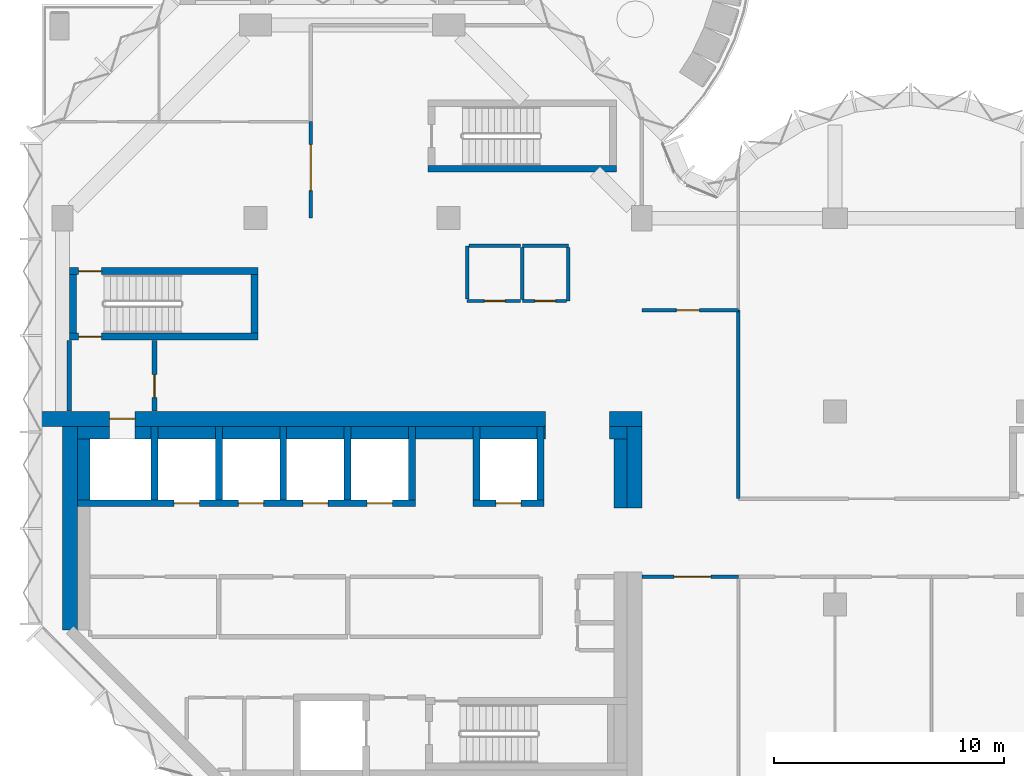
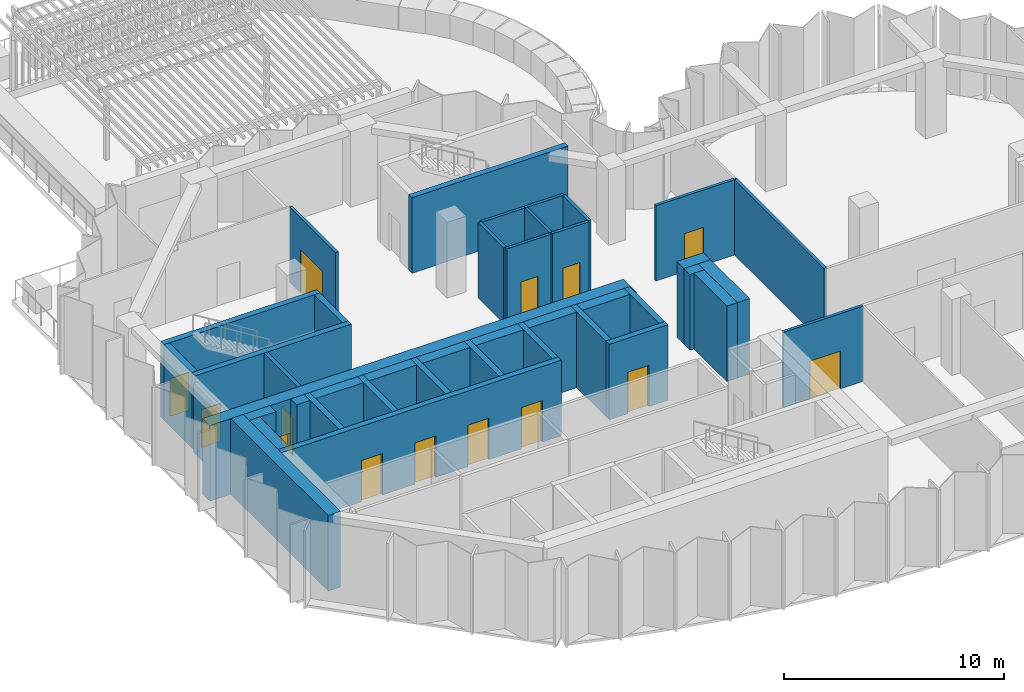
# One storey, part 9 of 15: 43 walls, 14 doors, 14 openings.
"""IFC4 building model written with IfcOpenShell, lengths in metres."""

from ifc_helpers import new_model, si_unit, direction, frame, frame_2d, origin, place, context, subcontext, project, spatial, rectangle, extrude, material, layer, layer_set, type_object, element, fill, save


model = new_model("IFC4")

# Units and contexts
model_context = context("Model", 3, precision=1e-05, world=origin(), true_north=direction((0.0, 1.0)))
body_context = subcontext(model_context, "Body", "Model", "MODEL_VIEW")
ifc_project = project(units=[si_unit("LENGTHUNIT", "METRE"), si_unit("AREAUNIT", "SQUARE_METRE"), si_unit("VOLUMEUNIT", "CUBIC_METRE"), si_unit("PLANEANGLEUNIT", "RADIAN"), si_unit("MASSUNIT", "GRAM", prefix="KILO")], contexts=[model_context])

# Site, building, storey
site_placement = place(None, origin())
site = spatial("IfcSite", under=ifc_project, at=site_placement, CompositionType="ELEMENT")
building_placement = place(site_placement, origin())
building = spatial("IfcBuilding", under=site, at=building_placement, Name="Brevane Broadcast Tower", CompositionType="ELEMENT")
storey_placement = place(building_placement, frame((0.0, 0.0, 206.39990234375)))
storey = spatial("IfcBuildingStorey", under=building, at=storey_placement, Name="L52", CompositionType="ELEMENT", Elevation=206.39990234375)

# Walls
ifc_material_1 = material(Name="Concrete C32/40", Category="concrete")
ifc_layer_1 = layer(ifc_material_1, 0.550048828125)
ifc_layer_set_1 = layer_set([ifc_layer_1], Name="Core chase wall 550 mm")
wall_type_1 = type_object("IfcWallType", Name="Core chase wall 550 mm", PredefinedType="PARTITIONING", material=ifc_layer_set_1)
wall_1_placement = place(storey_placement, frame((24.27490234375, 12.60009765625, 0.0), z_axis=(0.0, 0.0, 1.0), x_axis=(0.0, 1.0, 0.0)))
element("IfcWall", 1, at=wall_1_placement, inside=storey, type_object=wall_type_1, Name="L52 chase wall LE2", PredefinedType="PARTITIONING", context=body_context, shape_type="SweptSolid", body=[
    extrude(rectangle(XDim=3.0, YDim=0.550048828125, at=frame_2d((1.5, 0.0))), origin(), (0.0, 0.0, 1.0), 4.2001953125),
])
wall_2_placement = place(storey_placement, frame((0.64990234375, 15.875, 0.0), z_axis=(0.0, 0.0, 1.0), x_axis=(1.0, 0.0, 0.0)))
element("IfcWall", 2, at=wall_2_placement, inside=storey, type_object=wall_type_1, Name="L52 chase wall LN0", PredefinedType="PARTITIONING", context=body_context, shape_type="SweptSolid", body=[
    extrude(rectangle(XDim=1.400146484375, YDim=0.550048828125, at=frame_2d((0.7001953125, 0.0))), origin(), (0.0, 0.0, 1.0), 4.2001953125),
])
wall_3_placement = place(storey_placement, frame((23.800048828125, 15.875, 0.0), z_axis=(0.0, 0.0, 1.0), x_axis=(1.0, 0.0, 0.0)))
element("IfcWall", 3, at=wall_3_placement, inside=storey, type_object=wall_type_1, Name="L52 chase wall LN2", PredefinedType="PARTITIONING", context=body_context, shape_type="SweptSolid", body=[
    extrude(rectangle(XDim=0.75, YDim=0.550048828125, at=frame_2d((0.375, 0.0))), origin(), (0.0, 0.0, 1.0), 4.2001953125),
])
wall_4_placement = place(storey_placement, frame((0.925048828125, 12.949951171875, 0.0), z_axis=(0.0, 0.0, 1.0), x_axis=(0.0, 1.0, 0.0)))
element("IfcWall", 4, at=wall_4_placement, inside=storey, type_object=wall_type_1, Name="L52 chase wall LW-2", PredefinedType="PARTITIONING", context=body_context, shape_type="SweptSolid", body=[
    extrude(rectangle(XDim=2.650146484375, YDim=0.550048828125, at=frame_2d((1.3251953125, 0.0))), origin(), (0.0, 0.0, 1.0), 4.2001953125),
])
wall_5_placement = place(storey_placement, frame((3.14990234375, 15.875, 0.0), z_axis=(0.0, 0.0, 1.0), x_axis=(1.0, 0.0, 0.0)))
element("IfcWall", 5, at=wall_5_placement, inside=storey, type_object=wall_type_1, Name="L52 chase wall LN1-1", PredefinedType="PARTITIONING", context=body_context, shape_type="SweptSolid", body=[
    extrude(rectangle(XDim=0.7001953125, YDim=0.550048828125, at=frame_2d((0.35009765625, 0.0))), origin(), (0.0, 0.0, 1.0), 4.2001953125),
])
for number, where, z_axis, x_axis, name in (
    (6, (4.14990234375, 15.875, 0.0), (0.0, 0.0, 1.0), (1.0, 0.0, 0.0), "L52 chase wall LN1-2-1"),
    (7, (6.949951171875, 15.875, 0.0), (0.0, 0.0, 1.0), (1.0, 0.0, 0.0), "L52 chase wall LN1-2-2-1"),
    (8, (9.75, 15.875, 0.0), (0.0, 0.0, 1.0), (1.0, 0.0, 0.0), "L52 chase wall LN1-2-2-2-1"),
    (9, (12.550048828125, 15.875, 0.0), (0.0, 0.0, 1.0), (1.0, 0.0, 0.0), "L52 chase wall LN1-2-2-2-2-1"),
    (10, (15.35009765625, 15.875, 0.0), (0.0, 0.0, 1.0), (1.0, 0.0, 0.0), "L52 chase wall LN1-2-2-2-2-2-1"),
    (11, (18.14990234375, 15.875, 0.0), (0.0, 0.0, 1.0), (1.0, 0.0, 0.0), "L52 chase wall LN1-2-2-2-2-2-2-1"),
):
    element("IfcWall", number, at=place(storey_placement, frame(where, z_axis=z_axis, x_axis=x_axis)), inside=storey, type_object=wall_type_1, Name=name, PredefinedType="PARTITIONING", context=body_context, shape_type="SweptSolid", body=[
        extrude(rectangle(XDim=2.5, YDim=0.550048828125, at=frame_2d((1.25, 0.0))), origin(), (0.0, 0.0, 1.0), 4.2001953125),
    ])
wall_6_placement = place(storey_placement, frame((20.949951171875, 15.875, 0.0), z_axis=(0.0, 0.0, 1.0), x_axis=(1.0, 0.0, 0.0)))
element("IfcWall", 12, at=wall_6_placement, inside=storey, type_object=wall_type_1, Name="L52 chase wall LN1-2-2-2-2-2-2-2", PredefinedType="PARTITIONING", context=body_context, shape_type="SweptSolid", body=[
    extrude(rectangle(XDim=0.050048828125, YDim=0.550048828125, at=frame_2d((0.02490234375, 0.0))), origin(), (0.0, 0.0, 1.0), 4.2001953125),
])
ifc_material_2 = material(Name="Gypsum board on steel studs", Category="steel")
ifc_layer_2 = layer(ifc_material_2, 0.14990234375)
ifc_layer_set_2 = layer_set([ifc_layer_2], Name="Core fire partition 150 mm")
wall_type_2 = type_object("IfcWallType", Name="Core fire partition 150 mm", PredefinedType="PARTITIONING", material=ifc_layer_set_2)
wall_7_placement = place(storey_placement, frame((20.0, 24.0, 0.0), z_axis=(0.0, 0.0, 1.0), x_axis=(1.0, 0.0, 0.0)))
element("IfcWall", 13, at=wall_7_placement, inside=storey, type_object=wall_type_2, Name="L52 partition wall P22", PredefinedType="PARTITIONING", context=body_context, shape_type="SweptSolid", body=[
    extrude(rectangle(XDim=2.0, YDim=0.14990234375, at=frame_2d((1.0, 0.0))), origin(), (0.0, 0.0, 1.0), 4.2001953125),
])
wall_8_placement = place(storey_placement, frame((22.0, 23.925048828125, 0.0), z_axis=(0.0, 0.0, 1.0), x_axis=(0.0, -1.0, 0.0)))
element("IfcWall", 14, at=wall_8_placement, inside=storey, type_object=wall_type_2, Name="L52 partition wall P23", PredefinedType="PARTITIONING", context=body_context, shape_type="SweptSolid", body=[
    extrude(rectangle(XDim=2.324951171875, YDim=0.14990234375, at=frame_2d((1.16259765625, 0.0))), origin(), (0.0, 0.0, 1.0), 4.2001953125),
])

# Wall, opening, door
wall_9_placement = place(storey_placement, frame((21.925048828125, 21.60009765625, 0.0), z_axis=(0.0, 0.0, 1.0), x_axis=(-1.0, 0.0, 0.0)))
wall_9 = element("IfcWall", 15, at=wall_9_placement, inside=storey, type_object=wall_type_2, Name="L52 partition wall P24", PredefinedType="PARTITIONING", context=body_context, shape_type="SweptSolid", body=[
    extrude(rectangle(XDim=1.925048828125, YDim=0.14990234375, at=frame_2d((0.96240234375, 0.0))), origin(), (0.0, 0.0, 1.0), 4.2001953125),
])
opening_1_placement = place(wall_9_placement, frame((0.47509765625, 0.0, 0.0)))
opening_1 = element("IfcOpeningElement", 16, at=opening_1_placement, cuts=wall_9, Name="Opening L52-K23", PredefinedType="OPENING", context=body_context, shape_type="SweptSolid", body=[
    extrude(rectangle(XDim=0.89990234375, YDim=2.10009765625, at=frame_2d((0.449951171875, 1.050048828125))), frame((0.0, 0.0849609375, 0.0), z_axis=(0.0, -1.0, 0.0), x_axis=(1.0, 0.0, 0.0)), (0.0, 0.0, 1.0), 0.169921875),
])
ifc_material_3 = material(Name="Timber", Category="wood")
door_type_1 = type_object("IfcDoorType", Name="Toilet door 900 x 2100", OperationType="SINGLE_SWING_LEFT", PredefinedType="DOOR", material=ifc_material_3)
door_1_placement = place(opening_1_placement, origin())
door_1 = element("IfcDoor", 17, at=door_1_placement, inside=storey, type_object=door_type_1, Name="Door L52-K23", OperationType="SINGLE_SWING_RIGHT", OverallHeight=2.10009765625, OverallWidth=0.89990234375, PredefinedType="DOOR", context=body_context, shape_type="SweptSolid", body=[
    extrude(rectangle(XDim=0.89990234375, YDim=2.10009765625, at=frame_2d((0.449951171875, 1.050048828125))), frame((0.0, 0.02490234375, 0.0), z_axis=(0.0, -1.0, 0.0), x_axis=(1.0, 0.0, 0.0)), (0.0, 0.0, 1.0), 0.050048828125),
])
fill(opening_1, door_1)

# Wall
wall_10_placement = place(storey_placement, frame((20.0, 21.675048828125, 0.0), z_axis=(0.0, 0.0, 1.0), x_axis=(0.0, 1.0, 0.0)))
element("IfcWall", 18, at=wall_10_placement, inside=storey, type_object=wall_type_2, Name="L52 partition wall P25", PredefinedType="PARTITIONING", context=body_context, shape_type="SweptSolid", body=[
    extrude(rectangle(XDim=2.25, YDim=0.14990234375, at=frame_2d((1.125, 0.0))), origin(), (0.0, 0.0, 1.0), 4.2001953125),
])

# Wall, opening, door
wall_11_placement = place(storey_placement, frame((19.925048828125, 21.60009765625, 0.0), z_axis=(0.0, 0.0, 1.0), x_axis=(-1.0, 0.0, 0.0)))
wall_11 = element("IfcWall", 19, at=wall_11_placement, inside=storey, type_object=wall_type_2, Name="L52 partition wall P26", PredefinedType="PARTITIONING", context=body_context, shape_type="SweptSolid", body=[
    extrude(rectangle(XDim=2.324951171875, YDim=0.14990234375, at=frame_2d((1.16259765625, 0.0))), origin(), (0.0, 0.0, 1.0), 4.2001953125),
])
opening_2_placement = place(wall_11_placement, frame((0.675048828125, 0.0, 0.0)))
opening_2 = element("IfcOpeningElement", 20, at=opening_2_placement, cuts=wall_11, Name="Opening L52-K24", PredefinedType="OPENING", context=body_context, shape_type="SweptSolid", body=[
    extrude(rectangle(XDim=0.89990234375, YDim=2.10009765625, at=frame_2d((0.449951171875, 1.050048828125))), frame((0.0, 0.0849609375, 0.0), z_axis=(0.0, -1.0, 0.0), x_axis=(1.0, 0.0, 0.0)), (0.0, 0.0, 1.0), 0.169921875),
])
ifc_material_4 = material(Name="Steel", Category="steel")
door_type_2 = type_object("IfcDoorType", Name="Service room door 900 x 2100", OperationType="SINGLE_SWING_LEFT", PredefinedType="DOOR", material=ifc_material_4)
door_2_placement = place(opening_2_placement, origin())
door_2 = element("IfcDoor", 21, at=door_2_placement, inside=storey, type_object=door_type_2, Name="Door L52-K24", OperationType="SINGLE_SWING_LEFT", OverallHeight=2.10009765625, OverallWidth=0.89990234375, PredefinedType="DOOR", context=body_context, shape_type="SweptSolid", body=[
    extrude(rectangle(XDim=0.89990234375, YDim=2.10009765625, at=frame_2d((0.449951171875, 1.050048828125))), frame((0.0, 0.02490234375, 0.0), z_axis=(0.0, -1.0, 0.0), x_axis=(1.0, 0.0, 0.0)), (0.0, 0.0, 1.0), 0.050048828125),
])
fill(opening_2, door_2)

# Walls
wall_12_placement = place(storey_placement, frame((17.60009765625, 21.675048828125, 0.0), z_axis=(0.0, 0.0, 1.0), x_axis=(0.0, 1.0, 0.0)))
element("IfcWall", 22, at=wall_12_placement, inside=storey, type_object=wall_type_2, Name="L52 partition wall P27", PredefinedType="PARTITIONING", context=body_context, shape_type="SweptSolid", body=[
    extrude(rectangle(XDim=2.324951171875, YDim=0.14990234375, at=frame_2d((1.16259765625, 0.0))), origin(), (0.0, 0.0, 1.0), 4.2001953125),
])
wall_13_placement = place(storey_placement, frame((17.675048828125, 24.0, 0.0), z_axis=(0.0, 0.0, 1.0), x_axis=(1.0, 0.0, 0.0)))
element("IfcWall", 23, at=wall_13_placement, inside=storey, type_object=wall_type_2, Name="L52 partition wall P28", PredefinedType="PARTITIONING", context=body_context, shape_type="SweptSolid", body=[
    extrude(rectangle(XDim=2.25, YDim=0.14990234375, at=frame_2d((1.125, 0.0))), origin(), (0.0, 0.0, 1.0), 4.2001953125),
])
ifc_layer_3 = layer(ifc_material_2, 0.199951171875)
ifc_layer_set_3 = layer_set([ifc_layer_3], Name="Core fire partition 200 mm")
wall_type_3 = type_object("IfcWallType", Name="Core fire partition 200 mm", PredefinedType="PARTITIONING", material=ifc_layer_set_3)
wall_14_placement = place(storey_placement, frame((0.300048828125, 16.81201171875, 0.0), z_axis=(0.0, 0.0, 1.0), x_axis=(0.0, 1.0, 0.0)))
element("IfcWall", 24, at=wall_14_placement, inside=storey, type_object=wall_type_3, Name="L52 partition wall P01", PredefinedType="PARTITIONING", context=body_context, shape_type="SweptSolid", body=[
    extrude(rectangle(XDim=3.075927734375, YDim=0.199951171875, at=frame_2d((1.5380859375, 0.0))), origin(), (0.0, 0.0, 1.0), 3.830078125),
])

# Wall, opening, door
wall_15_placement = place(storey_placement, frame((4.0, 19.887939453125, 0.0), z_axis=(0.0, 0.0, 1.0), x_axis=(0.0, -1.0, 0.0)))
wall_15 = element("IfcWall", 25, at=wall_15_placement, inside=storey, type_object=wall_type_3, Name="L52 partition wall P02", PredefinedType="PARTITIONING", context=body_context, shape_type="SweptSolid", body=[
    extrude(rectangle(XDim=3.075927734375, YDim=0.199951171875, at=frame_2d((1.5380859375, 0.0))), origin(), (0.0, 0.0, 1.0), 4.2001953125),
])
opening_3_placement = place(wall_15_placement, frame((1.488037109375, 0.0, 0.0)))
opening_3 = element("IfcOpeningElement", 26, at=opening_3_placement, cuts=wall_15, Name="Opening L52-K22", PredefinedType="OPENING", context=body_context, shape_type="SweptSolid", body=[
    extrude(rectangle(XDim=1.0, YDim=2.10009765625, at=frame_2d((0.5, 1.050048828125))), frame((0.0, 0.10986328125, 0.0), z_axis=(0.0, -1.0, 0.0), x_axis=(1.0, 0.0, 0.0)), (0.0, 0.0, 1.0), 0.219970703125),
])
door_type_3 = type_object("IfcDoorType", Name="Stair door 1000 x 2100", OperationType="SINGLE_SWING_LEFT", PredefinedType="DOOR", material=ifc_material_4)
door_3_placement = place(opening_3_placement, origin())
door_3 = element("IfcDoor", 27, at=door_3_placement, inside=storey, type_object=door_type_3, Name="Door L52-K22", OperationType="SINGLE_SWING_LEFT", OverallHeight=2.10009765625, OverallWidth=1.0, PredefinedType="DOOR", context=body_context, shape_type="SweptSolid", body=[
    extrude(rectangle(XDim=1.0, YDim=2.10009765625, at=frame_2d((0.5, 1.050048828125))), frame((0.0, 0.02490234375, 0.0), z_axis=(0.0, -1.0, 0.0), x_axis=(1.0, 0.0, 0.0)), (0.0, 0.0, 1.0), 0.050048828125),
])
fill(opening_3, door_3)

# Wall, openings, doors
ifc_material_5 = material(Name="Concrete C60/75", Category="concrete")
ifc_layer_4 = layer(ifc_material_5, 0.300048828125)
ifc_layer_set_4 = layer_set([ifc_layer_4], Name="Core wall 300 mm C60/75")
wall_type_4 = type_object("IfcWallType", Name="Core wall 300 mm C60/75", PredefinedType="SHEAR", material=ifc_layer_set_4)
wall_16_placement = place(storey_placement, frame((0.64990234375, 12.800048828125, 0.0), z_axis=(0.0, 0.0, 1.0), x_axis=(1.0, 0.0, 0.0)))
wall_16 = element("IfcWall", 28, at=wall_16_placement, inside=storey, type_object=wall_type_4, Name="L52 shaft wall SH-N012-front", PredefinedType="SHEAR", context=body_context, shape_type="SweptSolid", body=[
    extrude(rectangle(XDim=14.7001953125, YDim=0.300048828125, at=frame_2d((7.35009765625, 0.0))), origin(), (0.0, 0.0, 1.0), 4.2001953125),
])
opening_4_placement = place(wall_16_placement, frame((4.199951171875, 0.0, 0.0)))
opening_4 = element("IfcOpeningElement", 29, at=opening_4_placement, cuts=wall_16, Name="Opening LD", PredefinedType="OPENING", context=body_context, shape_type="SweptSolid", body=[
    extrude(rectangle(XDim=1.10009765625, YDim=2.300048828125, at=frame_2d((0.550048828125, 1.14990234375))), frame((0.0, 0.159912109375, 0.0), z_axis=(0.0, -1.0, 0.0), x_axis=(1.0, 0.0, 0.0)), (0.0, 0.0, 1.0), 0.320068359375),
])
opening_5_placement = place(wall_16_placement, frame((7.0, 0.0, 0.0)))
opening_5 = element("IfcOpeningElement", 30, at=opening_5_placement, cuts=wall_16, Name="Opening LD", PredefinedType="OPENING", context=body_context, shape_type="SweptSolid", body=[
    extrude(rectangle(XDim=1.10009765625, YDim=2.300048828125, at=frame_2d((0.550048828125, 1.14990234375))), frame((0.0, 0.159912109375, 0.0), z_axis=(0.0, -1.0, 0.0), x_axis=(1.0, 0.0, 0.0)), (0.0, 0.0, 1.0), 0.320068359375),
])
opening_6_placement = place(wall_16_placement, frame((9.800048828125, 0.0, 0.0)))
opening_6 = element("IfcOpeningElement", 31, at=opening_6_placement, cuts=wall_16, Name="Opening LD", PredefinedType="OPENING", context=body_context, shape_type="SweptSolid", body=[
    extrude(rectangle(XDim=1.10009765625, YDim=2.300048828125, at=frame_2d((0.550048828125, 1.14990234375))), frame((0.0, 0.159912109375, 0.0), z_axis=(0.0, -1.0, 0.0), x_axis=(1.0, 0.0, 0.0)), (0.0, 0.0, 1.0), 0.320068359375),
])
opening_7_placement = place(wall_16_placement, frame((12.60009765625, 0.0, 0.0)))
opening_7 = element("IfcOpeningElement", 32, at=opening_7_placement, cuts=wall_16, Name="Opening LD", PredefinedType="OPENING", context=body_context, shape_type="SweptSolid", body=[
    extrude(rectangle(XDim=1.10009765625, YDim=2.300048828125, at=frame_2d((0.550048828125, 1.14990234375))), frame((0.0, 0.159912109375, 0.0), z_axis=(0.0, -1.0, 0.0), x_axis=(1.0, 0.0, 0.0)), (0.0, 0.0, 1.0), 0.320068359375),
])
ifc_material_6 = material(Name="Stainless steel", Category="steel")
door_type_4 = type_object("IfcDoorType", Name="Lift landing door", OperationType="SLIDING_TO_LEFT", PredefinedType="DOOR", material=ifc_material_6)
door_4_placement = place(opening_4_placement, origin())
door_4 = element("IfcDoor", 33, at=door_4_placement, inside=storey, type_object=door_type_4, Name="Landing door HR1 L52", OperationType="SLIDING_TO_LEFT", OverallHeight=2.300048828125, OverallWidth=1.10009765625, PredefinedType="DOOR", context=body_context, shape_type="SweptSolid", body=[
    extrude(rectangle(XDim=1.10009765625, YDim=2.300048828125, at=frame_2d((0.550048828125, 1.14990234375))), frame((0.0, 0.02490234375, 0.0), z_axis=(0.0, -1.0, 0.0), x_axis=(1.0, 0.0, 0.0)), (0.0, 0.0, 1.0), 0.050048828125),
])
fill(opening_4, door_4)
door_5_placement = place(opening_5_placement, origin())
door_5 = element("IfcDoor", 34, at=door_5_placement, inside=storey, type_object=door_type_4, Name="Landing door HR2 L52", OperationType="SLIDING_TO_LEFT", OverallHeight=2.300048828125, OverallWidth=1.10009765625, PredefinedType="DOOR", context=body_context, shape_type="SweptSolid", body=[
    extrude(rectangle(XDim=1.10009765625, YDim=2.300048828125, at=frame_2d((0.550048828125, 1.14990234375))), frame((0.0, 0.02490234375, 0.0), z_axis=(0.0, -1.0, 0.0), x_axis=(1.0, 0.0, 0.0)), (0.0, 0.0, 1.0), 0.050048828125),
])
fill(opening_5, door_5)
door_6_placement = place(opening_6_placement, origin())
door_6 = element("IfcDoor", 35, at=door_6_placement, inside=storey, type_object=door_type_4, Name="Landing door HR3 L52", OperationType="SLIDING_TO_LEFT", OverallHeight=2.300048828125, OverallWidth=1.10009765625, PredefinedType="DOOR", context=body_context, shape_type="SweptSolid", body=[
    extrude(rectangle(XDim=1.10009765625, YDim=2.300048828125, at=frame_2d((0.550048828125, 1.14990234375))), frame((0.0, 0.02490234375, 0.0), z_axis=(0.0, -1.0, 0.0), x_axis=(1.0, 0.0, 0.0)), (0.0, 0.0, 1.0), 0.050048828125),
])
fill(opening_6, door_6)
door_7_placement = place(opening_7_placement, origin())
door_7 = element("IfcDoor", 36, at=door_7_placement, inside=storey, type_object=door_type_4, Name="Landing door HR4 L52", OperationType="SLIDING_TO_LEFT", OverallHeight=2.300048828125, OverallWidth=1.10009765625, PredefinedType="DOOR", context=body_context, shape_type="SweptSolid", body=[
    extrude(rectangle(XDim=1.10009765625, YDim=2.300048828125, at=frame_2d((0.550048828125, 1.14990234375))), frame((0.0, 0.02490234375, 0.0), z_axis=(0.0, -1.0, 0.0), x_axis=(1.0, 0.0, 0.0)), (0.0, 0.0, 1.0), 0.050048828125),
])
fill(opening_7, door_7)

# Walls
for number, where, z_axis, x_axis, name in (
    (37, (4.0, 12.949951171875, 0.0), (0.0, 0.0, 1.0), (0.0, 1.0, 0.0), "L52 shaft wall SH-N-P040"),
    (38, (6.800048828125, 12.949951171875, 0.0), (0.0, 0.0, 1.0), (0.0, 1.0, 0.0), "L52 shaft wall SH-N-P068"),
    (39, (9.60009765625, 12.949951171875, 0.0), (0.0, 0.0, 1.0), (0.0, 1.0, 0.0), "L52 shaft wall SH-N-P096"),
    (40, (12.39990234375, 12.949951171875, 0.0), (0.0, 0.0, 1.0), (0.0, 1.0, 0.0), "L52 shaft wall SH-N-P124"),
    (41, (15.199951171875, 12.949951171875, 0.0), (0.0, 0.0, 1.0), (0.0, 1.0, 0.0), "L52 shaft wall SH-N-P152"),
):
    element("IfcWall", number, at=place(storey_placement, frame(where, z_axis=z_axis, x_axis=x_axis)), inside=storey, type_object=wall_type_4, Name=name, PredefinedType="SHEAR", context=body_context, shape_type="SweptSolid", body=[
        extrude(rectangle(XDim=3.199951171875, YDim=0.300048828125, at=frame_2d((1.60009765625, 0.0))), origin(), (0.0, 0.0, 1.0), 4.2001953125),
    ])

# Wall, opening, door
wall_17_placement = place(storey_placement, frame((17.85009765625, 12.800048828125, 0.0), z_axis=(0.0, 0.0, 1.0), x_axis=(1.0, 0.0, 0.0)))
wall_17 = element("IfcWall", 42, at=wall_17_placement, inside=storey, type_object=wall_type_4, Name="L52 shaft wall SH-N180-front", PredefinedType="SHEAR", context=body_context, shape_type="SweptSolid", body=[
    extrude(rectangle(XDim=3.099853515625, YDim=0.300048828125, at=frame_2d((1.5498046875, 0.0))), origin(), (0.0, 0.0, 1.0), 4.2001953125),
])
opening_8_placement = place(wall_17_placement, frame((1.0, 0.0, 0.0)))
opening_8 = element("IfcOpeningElement", 43, at=opening_8_placement, cuts=wall_17, Name="Opening LD", PredefinedType="OPENING", context=body_context, shape_type="SweptSolid", body=[
    extrude(rectangle(XDim=1.10009765625, YDim=2.300048828125, at=frame_2d((0.550048828125, 1.14990234375))), frame((0.0, 0.159912109375, 0.0), z_axis=(0.0, -1.0, 0.0), x_axis=(1.0, 0.0, 0.0)), (0.0, 0.0, 1.0), 0.320068359375),
])
door_8_placement = place(opening_8_placement, origin())
door_8 = element("IfcDoor", 44, at=door_8_placement, inside=storey, type_object=door_type_4, Name="Landing door SL1 L52", OperationType="SLIDING_TO_LEFT", OverallHeight=2.300048828125, OverallWidth=1.10009765625, PredefinedType="DOOR", context=body_context, shape_type="SweptSolid", body=[
    extrude(rectangle(XDim=1.10009765625, YDim=2.300048828125, at=frame_2d((0.550048828125, 1.14990234375))), frame((0.0, 0.02490234375, 0.0), z_axis=(0.0, -1.0, 0.0), x_axis=(1.0, 0.0, 0.0)), (0.0, 0.0, 1.0), 0.050048828125),
])
fill(opening_8, door_8)

# Walls
for number, where, z_axis, x_axis, name in (
    (45, (18.0, 12.949951171875, 0.0), (0.0, 0.0, 1.0), (0.0, 1.0, 0.0), "L52 shaft wall SH-N-P180"),
    (46, (20.800048828125, 12.949951171875, 0.0), (0.0, 0.0, 1.0), (0.0, 1.0, 0.0), "L52 shaft wall SH-N-P208"),
):
    element("IfcWall", number, at=place(storey_placement, frame(where, z_axis=z_axis, x_axis=x_axis)), inside=storey, type_object=wall_type_4, Name=name, PredefinedType="SHEAR", context=body_context, shape_type="SweptSolid", body=[
        extrude(rectangle(XDim=3.199951171875, YDim=0.300048828125, at=frame_2d((1.60009765625, 0.0))), origin(), (0.0, 0.0, 1.0), 4.2001953125),
    ])

# Wall, opening, door
wall_18_placement = place(storey_placement, frame((8.5, 20.050048828125, 0.0), z_axis=(0.0, 0.0, 1.0), x_axis=(-1.0, 0.0, 0.0)))
wall_18 = element("IfcWall", 47, at=wall_18_placement, inside=storey, type_object=wall_type_4, Name="L52 stair wall ST-1-S", PredefinedType="SHEAR", context=body_context, shape_type="SweptSolid", body=[
    extrude(rectangle(XDim=8.199951171875, YDim=0.300048828125, at=frame_2d((4.10009765625, 0.0))), origin(), (0.0, 0.0, 1.0), 4.2001953125),
])
opening_9_placement = place(wall_18_placement, frame((6.800048828125, 0.0, 0.0)))
opening_9 = element("IfcOpeningElement", 48, at=opening_9_placement, cuts=wall_18, Name="Opening L52-K08", PredefinedType="OPENING", context=body_context, shape_type="SweptSolid", body=[
    extrude(rectangle(XDim=1.0, YDim=2.10009765625, at=frame_2d((0.5, 1.050048828125))), frame((0.0, 0.159912109375, 0.0), z_axis=(0.0, -1.0, 0.0), x_axis=(1.0, 0.0, 0.0)), (0.0, 0.0, 1.0), 0.320068359375),
])
door_9_placement = place(opening_9_placement, origin())
door_9 = element("IfcDoor", 49, at=door_9_placement, inside=storey, type_object=door_type_3, Name="Door L52-K08", OperationType="SINGLE_SWING_LEFT", OverallHeight=2.10009765625, OverallWidth=1.0, PredefinedType="DOOR", context=body_context, shape_type="SweptSolid", body=[
    extrude(rectangle(XDim=1.0, YDim=2.10009765625, at=frame_2d((0.5, 1.050048828125))), frame((0.0, 0.02490234375, 0.0), z_axis=(0.0, -1.0, 0.0), x_axis=(1.0, 0.0, 0.0)), (0.0, 0.0, 1.0), 0.050048828125),
])
fill(opening_9, door_9)

wall_19_placement = place(storey_placement, frame((0.300048828125, 22.89990234375, 0.0), z_axis=(0.0, 0.0, 1.0), x_axis=(1.0, 0.0, 0.0)))
wall_19 = element("IfcWall", 50, at=wall_19_placement, inside=storey, type_object=wall_type_4, Name="L52 stair wall ST-1-N", PredefinedType="SHEAR", context=body_context, shape_type="SweptSolid", body=[
    extrude(rectangle(XDim=8.199951171875, YDim=0.300048828125, at=frame_2d((4.10009765625, 0.0))), origin(), (0.0, 0.0, 1.0), 4.2001953125),
])
opening_10_placement = place(wall_19_placement, frame((0.39990234375, 0.0, 0.0)))
opening_10 = element("IfcOpeningElement", 51, at=opening_10_placement, cuts=wall_19, Name="Opening L52-K09", PredefinedType="OPENING", context=body_context, shape_type="SweptSolid", body=[
    extrude(rectangle(XDim=1.0, YDim=2.10009765625, at=frame_2d((0.5, 1.050048828125))), frame((0.0, 0.159912109375, 0.0), z_axis=(0.0, -1.0, 0.0), x_axis=(1.0, 0.0, 0.0)), (0.0, 0.0, 1.0), 0.320068359375),
])
door_10_placement = place(opening_10_placement, origin())
door_10 = element("IfcDoor", 52, at=door_10_placement, inside=storey, type_object=door_type_3, Name="Door L52-K09", OperationType="SINGLE_SWING_RIGHT", OverallHeight=2.10009765625, OverallWidth=1.0, PredefinedType="DOOR", context=body_context, shape_type="SweptSolid", body=[
    extrude(rectangle(XDim=1.0, YDim=2.10009765625, at=frame_2d((0.5, 1.050048828125))), frame((0.0, 0.02490234375, 0.0), z_axis=(0.0, -1.0, 0.0), x_axis=(1.0, 0.0, 0.0)), (0.0, 0.0, 1.0), 0.050048828125),
])
fill(opening_10, door_10)

# Walls
for number, where, z_axis, x_axis, name in (
    (53, (0.449951171875, 20.199951171875, 0.0), (0.0, 0.0, 1.0), (0.0, 1.0, 0.0), "L52 stair wall ST-1-W"),
    (54, (8.35009765625, 20.199951171875, 0.0), (0.0, 0.0, 1.0), (0.0, 1.0, 0.0), "L52 stair wall ST-1-E"),
):
    element("IfcWall", number, at=place(storey_placement, frame(where, z_axis=z_axis, x_axis=x_axis)), inside=storey, type_object=wall_type_4, Name=name, PredefinedType="SHEAR", context=body_context, shape_type="SweptSolid", body=[
        extrude(rectangle(XDim=2.550048828125, YDim=0.300048828125, at=frame_2d((1.27490234375, 0.0))), origin(), (0.0, 0.0, 1.0), 4.2001953125),
    ])
wall_20_placement = place(storey_placement, frame((15.89990234375, 27.35009765625, 0.0), z_axis=(0.0, 0.0, 1.0), x_axis=(1.0, 0.0, 0.0)))
element("IfcWall", 55, at=wall_20_placement, inside=storey, type_object=wall_type_4, Name="L52 stair wall ST-3-S", PredefinedType="SHEAR", context=body_context, shape_type="SweptSolid", body=[
    extrude(rectangle(XDim=8.2001953125, YDim=0.300048828125, at=frame_2d((4.10009765625, 0.0))), origin(), (0.0, 0.0, 1.0), 4.2001953125),
])

# Wall, opening, door
ifc_layer_5 = layer(ifc_material_5, 0.64990234375)
ifc_layer_set_5 = layer_set([ifc_layer_5], Name="Core wall 650 mm C60/75")
wall_type_5 = type_object("IfcWallType", Name="Core wall 650 mm C60/75", PredefinedType="SHEAR", material=ifc_layer_set_5)
wall_21_placement = place(storey_placement, frame((-1.10009765625, 16.47509765625, 0.0), z_axis=(0.0, 0.0, 1.0), x_axis=(1.0, 0.0, 0.0)))
wall_21 = element("IfcWall", 56, at=wall_21_placement, inside=storey, type_object=wall_type_5, Name="L52 outer wall WN1", PredefinedType="SHEAR", context=body_context, shape_type="SweptSolid", body=[
    extrude(rectangle(XDim=22.10009765625, YDim=0.64990234375, at=frame_2d((11.050048828125, 0.0))), origin(), (0.0, 0.0, 1.0), 4.2001953125),
])
opening_11_placement = place(wall_21_placement, frame((3.14990234375, 0.0, 0.0)))
opening_11 = element("IfcOpeningElement", 57, at=opening_11_placement, cuts=wall_21, Name="Opening LD", PredefinedType="OPENING", context=body_context, shape_type="SweptSolid", body=[
    extrude(rectangle(XDim=1.10009765625, YDim=2.300048828125, at=frame_2d((0.550048828125, 1.14990234375))), frame((0.0, 0.3349609375, 0.0), z_axis=(0.0, -1.0, 0.0), x_axis=(1.0, 0.0, 0.0)), (0.0, 0.0, 1.0), 0.669921875),
])
door_11_placement = place(opening_11_placement, origin())
door_11 = element("IfcDoor", 58, at=door_11_placement, inside=storey, type_object=door_type_4, Name="Landing door FF1 L52", OperationType="SLIDING_TO_LEFT", OverallHeight=2.300048828125, OverallWidth=1.10009765625, PredefinedType="DOOR", context=body_context, shape_type="SweptSolid", body=[
    extrude(rectangle(XDim=1.10009765625, YDim=2.300048828125, at=frame_2d((0.550048828125, 1.14990234375))), frame((0.0, 0.02490234375, 0.0), z_axis=(0.0, -1.0, 0.0), x_axis=(1.0, 0.0, 0.0)), (0.0, 0.0, 1.0), 0.050048828125),
])
fill(opening_11, door_11)

# Walls
wall_22_placement = place(storey_placement, frame((23.800048828125, 16.47509765625, 0.0), z_axis=(0.0, 0.0, 1.0), x_axis=(1.0, 0.0, 0.0)))
element("IfcWall", 59, at=wall_22_placement, inside=storey, type_object=wall_type_5, Name="L52 outer wall WN2", PredefinedType="SHEAR", context=body_context, shape_type="SweptSolid", body=[
    extrude(rectangle(XDim=1.39990234375, YDim=0.64990234375, at=frame_2d((0.699951171875, 0.0))), origin(), (0.0, 0.0, 1.0), 4.2001953125),
])
wall_23_placement = place(storey_placement, frame((0.324951171875, 7.286376953125, 0.0), z_axis=(0.0, 0.0, 1.0), x_axis=(0.0, 1.0, 0.0)))
element("IfcWall", 60, at=wall_23_placement, inside=storey, type_object=wall_type_5, Name="L52 outer wall WW", PredefinedType="SHEAR", context=body_context, shape_type="SweptSolid", body=[
    extrude(rectangle(XDim=8.863525390625, YDim=0.64990234375, at=frame_2d((4.431640625, 0.0))), origin(), (0.0, 0.0, 1.0), 4.2001953125),
])
wall_24_placement = place(storey_placement, frame((24.875, 12.60009765625, 0.0), z_axis=(0.0, 0.0, 1.0), x_axis=(0.0, 1.0, 0.0)))
element("IfcWall", 61, at=wall_24_placement, inside=storey, type_object=wall_type_5, Name="L52 outer wall WE2", PredefinedType="SHEAR", context=body_context, shape_type="SweptSolid", body=[
    extrude(rectangle(XDim=3.5498046875, YDim=0.64990234375, at=frame_2d((1.77490234375, 0.0))), origin(), (0.0, 0.0, 1.0), 4.2001953125),
])

# Wall, opening, door
ifc_material_7 = material(Name="Gypsum board partition")
ifc_layer_6 = layer(ifc_material_7, 0.14990234375)
ifc_layer_set_6 = layer_set([ifc_layer_6], Name="PARTITION 150 EI 60")
wall_type_6 = type_object("IfcWallType", Name="PARTITION 150 EI 60", PredefinedType="PARTITIONING", material=ifc_layer_set_6)
wall_25_placement = place(storey_placement, frame((25.199951171875, 21.199951171875, 0.0), z_axis=(0.0, 0.0, 1.0), x_axis=(1.0, 0.0, 0.0)))
wall_25 = element("IfcWall", 62, at=wall_25_placement, inside=storey, type_object=wall_type_6, Name="Partition S2-001", PredefinedType="PARTITIONING", context=body_context, shape_type="SweptSolid", body=[
    extrude(rectangle(XDim=4.199951171875, YDim=0.14990234375, at=frame_2d((2.10009765625, 0.0))), origin(), (0.0, 0.0, 1.0), 4.18017578125),
])
opening_12_placement = place(wall_25_placement, frame((1.5, 0.0, 0.0)))
opening_12 = element("IfcOpeningElement", 63, at=opening_12_placement, cuts=wall_25, Name="Opening D25-001", PredefinedType="OPENING", context=body_context, shape_type="SweptSolid", body=[
    extrude(rectangle(XDim=1.0, YDim=2.10009765625, at=frame_2d((0.5, 1.050048828125))), frame((0.0, 0.0849609375, 0.0), z_axis=(0.0, -1.0, 0.0), x_axis=(1.0, 0.0, 0.0)), (0.0, 0.0, 1.0), 0.169921875),
])
ifc_material_8 = material(Name="Fire-rated timber door leaf", Category="wood")
door_type_5 = type_object("IfcDoorType", Name="DOOR SINGLE 1000 FD30S", OperationType="SINGLE_SWING_LEFT", PredefinedType="DOOR", material=ifc_material_8)
door_12_placement = place(opening_12_placement, origin())
door_12 = element("IfcDoor", 64, at=door_12_placement, inside=storey, type_object=door_type_5, Name="Door D25-001", OperationType="SINGLE_SWING_LEFT", OverallHeight=2.10009765625, OverallWidth=1.0, PredefinedType="DOOR", context=body_context, shape_type="SweptSolid", body=[
    extrude(rectangle(XDim=1.0, YDim=2.10009765625, at=frame_2d((0.5, 1.050048828125))), frame((0.0, 0.02490234375, 0.0), z_axis=(0.0, -1.0, 0.0), x_axis=(1.0, 0.0, 0.0)), (0.0, 0.0, 1.0), 0.050048828125),
])
fill(opening_12, door_12)

wall_26_placement = place(storey_placement, frame((29.39990234375, 9.60009765625, 0.0), z_axis=(0.0, 0.0, 1.0), x_axis=(-1.0, 0.0, 0.0)))
wall_26 = element("IfcWall", 65, at=wall_26_placement, inside=storey, type_object=wall_type_6, Name="Partition S2-002", PredefinedType="PARTITIONING", context=body_context, shape_type="SweptSolid", body=[
    extrude(rectangle(XDim=4.199951171875, YDim=0.14990234375, at=frame_2d((2.10009765625, 0.0))), origin(), (0.0, 0.0, 1.0), 4.18017578125),
])
opening_13_placement = place(wall_26_placement, frame((1.199951171875, 0.0, 0.0)))
opening_13 = element("IfcOpeningElement", 66, at=opening_13_placement, cuts=wall_26, Name="Opening D25-003", PredefinedType="OPENING", context=body_context, shape_type="SweptSolid", body=[
    extrude(rectangle(XDim=1.60009765625, YDim=2.10009765625, at=frame_2d((0.800048828125, 1.050048828125))), frame((0.0, 0.0849609375, 0.0), z_axis=(0.0, -1.0, 0.0), x_axis=(1.0, 0.0, 0.0)), (0.0, 0.0, 1.0), 0.169921875),
])
door_type_6 = type_object("IfcDoorType", Name="DOOR DOUBLE 1600 FD30S", OperationType="DOUBLE_DOOR_SINGLE_SWING", PredefinedType="DOOR", material=ifc_material_8)
door_13_placement = place(opening_13_placement, origin())
door_13 = element("IfcDoor", 67, at=door_13_placement, inside=storey, type_object=door_type_6, Name="Door D25-003", OperationType="DOUBLE_DOOR_SINGLE_SWING", OverallHeight=2.10009765625, OverallWidth=1.60009765625, PredefinedType="DOOR", context=body_context, shape_type="SweptSolid", body=[
    extrude(rectangle(XDim=1.60009765625, YDim=2.10009765625, at=frame_2d((0.800048828125, 1.050048828125))), frame((0.0, 0.02490234375, 0.0), z_axis=(0.0, -1.0, 0.0), x_axis=(1.0, 0.0, 0.0)), (0.0, 0.0, 1.0), 0.050048828125),
])
fill(opening_13, door_13)

# Wall
wall_27_placement = place(storey_placement, frame((29.39990234375, 21.199951171875, 0.0), z_axis=(0.0, 0.0, 1.0), x_axis=(0.0, -1.0, 0.0)))
element("IfcWall", 68, at=wall_27_placement, inside=storey, type_object=wall_type_6, Name="Partition S2-003", PredefinedType="PARTITIONING", context=body_context, shape_type="SweptSolid", body=[
    extrude(rectangle(XDim=8.199951171875, YDim=0.14990234375, at=frame_2d((4.10009765625, 0.0))), origin(), (0.0, 0.0, 1.0), 4.18017578125),
])

# Wall, opening, door
wall_28_placement = place(storey_placement, frame((10.800048828125, 25.199951171875, 0.0), z_axis=(0.0, 0.0, 1.0), x_axis=(0.0, 1.0, 0.0)))
wall_28 = element("IfcWall", 69, at=wall_28_placement, inside=storey, type_object=wall_type_6, Name="Partition S2-024", PredefinedType="PARTITIONING", context=body_context, shape_type="SweptSolid", body=[
    extrude(rectangle(XDim=4.199951171875, YDim=0.14990234375, at=frame_2d((2.10009765625, 0.0))), origin(), (0.0, 0.0, 1.0), 4.18017578125),
])
opening_14_placement = place(wall_28_placement, frame((1.199951171875, 0.0, 0.0)))
opening_14 = element("IfcOpeningElement", 70, at=opening_14_placement, cuts=wall_28, Name="Opening D25-009", PredefinedType="OPENING", context=body_context, shape_type="SweptSolid", body=[
    extrude(rectangle(XDim=2.0, YDim=2.39990234375, at=frame_2d((1.0, 1.199951171875))), frame((0.0, 0.0849609375, 0.0), z_axis=(0.0, -1.0, 0.0), x_axis=(1.0, 0.0, 0.0)), (0.0, 0.0, 1.0), 0.169921875),
])
door_type_7 = type_object("IfcDoorType", Name="DOOR DOUBLE 2000 FD30S", OperationType="DOUBLE_DOOR_SINGLE_SWING", PredefinedType="DOOR", material=ifc_material_8)
door_14_placement = place(opening_14_placement, origin())
door_14 = element("IfcDoor", 71, at=door_14_placement, inside=storey, type_object=door_type_7, Name="Door D25-009", OperationType="DOUBLE_DOOR_SINGLE_SWING", OverallHeight=2.39990234375, OverallWidth=2.0, PredefinedType="DOOR", context=body_context, shape_type="SweptSolid", body=[
    extrude(rectangle(XDim=2.0, YDim=2.39990234375, at=frame_2d((1.0, 1.199951171875))), frame((0.0, 0.02490234375, 0.0), z_axis=(0.0, -1.0, 0.0), x_axis=(1.0, 0.0, 0.0)), (0.0, 0.0, 1.0), 0.050048828125),
])
fill(opening_14, door_14)

save(model, "model.ifc")
